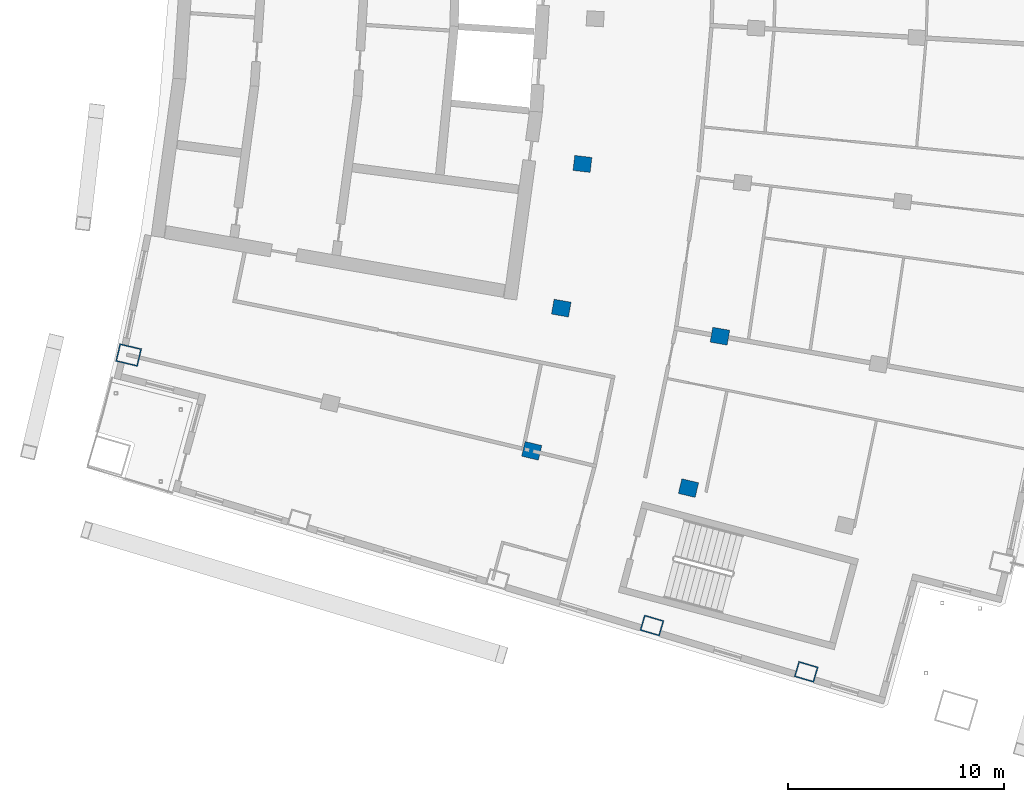
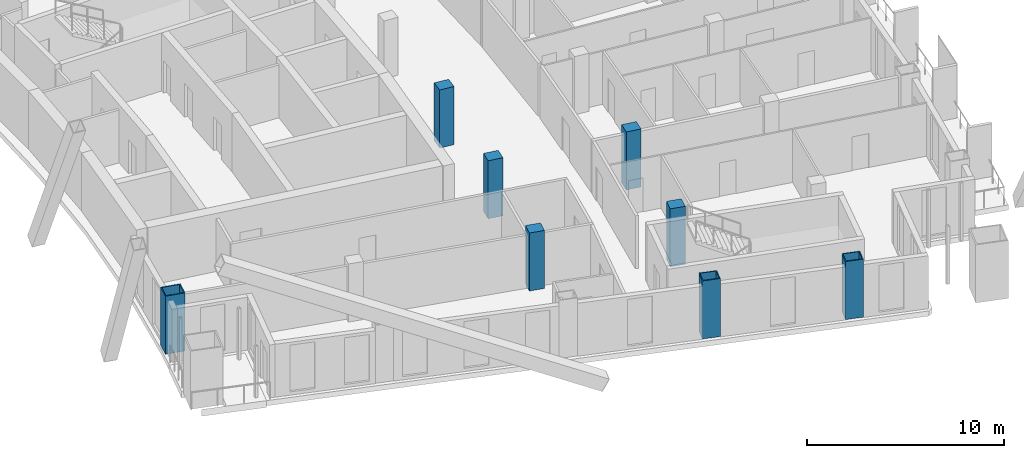
# One storey, part 2 of 19: 8 columns.
"""IFC4 building model written with IfcOpenShell, lengths in metres."""

from ifc_helpers import new_model, si_unit, direction, frame, origin, origin_2d, place, context, subcontext, project, spatial, rectangle, hollow_rectangle, extrude, material, material_profile, profile_set, type_object, element, save


model = new_model("IFC4")

# Units and contexts
model_context = context("Model", 3, precision=1e-05, world=origin(), true_north=direction((0.0, 1.0)))
body_context = subcontext(model_context, "Body", "Model", "MODEL_VIEW")
ifc_project = project(units=[si_unit("LENGTHUNIT", "METRE"), si_unit("AREAUNIT", "SQUARE_METRE"), si_unit("VOLUMEUNIT", "CUBIC_METRE"), si_unit("PLANEANGLEUNIT", "RADIAN"), si_unit("MASSUNIT", "GRAM", prefix="KILO")], contexts=[model_context])

# Site, building, storey
site_placement = place(None, origin())
site = spatial("IfcSite", under=ifc_project, at=site_placement, CompositionType="ELEMENT")
building_placement = place(site_placement, origin())
building = spatial("IfcBuilding", under=site, at=building_placement, Name="Alderwake Tower", CompositionType="ELEMENT")
storey_placement = place(building_placement, frame((0.0, 0.0, 200.0)))
storey = spatial("IfcBuildingStorey", under=building, at=storey_placement, Name="L49", CompositionType="ELEMENT", Elevation=200.0)

# Columns
ifc_material_1 = material(Name="Steel ASTM A572 Grade 50 concrete filled C70/85", Category="concrete")
ifc_material_profile_1 = material_profile(ifc_material_1, hollow_rectangle(XDim=0.75, YDim=0.949951171875, WallThickness=0.054931640625, at=origin_2d()), Name="BOX 950X750X55")
ifc_profile_set_1 = profile_set([ifc_material_profile_1], Name="Steel ASTM A572 Grade 50 concrete filled C70/85")
column_type_1 = type_object("IfcColumnType", Name="End column Z4", PredefinedType="COLUMN", material=ifc_profile_set_1)
for number, where, z_axis, x_axis, name in (
    (1, (38.231689453125, 26.1298828125, 0.0), (0.0, 0.0, 1.0), (0.282883890943, 0.959154160834, 0.0), "Column R02-C3"),
    (2, (45.383056640625, 23.98291015625, 0.0), (0.0, 0.0, 1.0), (0.283150052378, 0.959075621543, 0.0), "Column R02-C4"),
):
    element("IfcColumn", number, at=place(storey_placement, frame(where, z_axis=z_axis, x_axis=x_axis)), inside=storey, type_object=column_type_1, Name=name, PredefinedType="COLUMN", context=body_context, shape_type="SweptSolid", body=[
        extrude(hollow_rectangle(XDim=0.75, YDim=0.949951171875, WallThickness=0.054931640625, at=origin_2d()), origin(), (0.0, 0.0, 1.0), 3.60009765625),
    ])
ifc_material_2 = material(Name="Concrete C70/85", Category="concrete")
ifc_material_profile_2 = material_profile(ifc_material_2, rectangle(XDim=0.699951171875, YDim=0.800048828125, at=origin_2d()), Name="RC 800X700")
ifc_profile_set_2 = profile_set([ifc_material_profile_2], Name="Concrete C70/85")
column_type_2 = type_object("IfcColumnType", Name="Interior column Z4", PredefinedType="COLUMN", material=ifc_profile_set_2)
for number, where, z_axis, x_axis, name in (
    (3, (32.661865234375, 34.224609375, 0.0), (0.0, 0.0, 1.0), (0.231221547198, 0.972901123502, 0.0), "Column R03-C2"),
    (4, (39.92626953125, 32.498046875, 0.0), (0.0, 0.0, 1.0), (0.231221547198, 0.972901123502, 0.0), "Column R03-C3"),
    (5, (34.03125, 40.83837890625, 0.0), (0.0, 0.0, 1.0), (0.174108800747, 0.984726421654, 0.0), "Column R04-C2"),
    (6, (41.384033203125, 39.538330078125, 0.0), (0.0, 0.0, 1.0), (0.174107082075, 0.984726725529, 0.0), "Column R04-C3"),
    (7, (35.0126953125, 47.5205078125, 0.0), (0.0, 0.0, 1.0), (0.116402054316, 0.993202175668, 0.0), "Column R05-C2"),
):
    element("IfcColumn", number, at=place(storey_placement, frame(where, z_axis=z_axis, x_axis=x_axis)), inside=storey, type_object=column_type_2, Name=name, PredefinedType="COLUMN", context=body_context, shape_type="SweptSolid", body=[
        extrude(rectangle(XDim=0.699951171875, YDim=0.800048828125, at=origin_2d()), origin(), (0.0, 0.0, 1.0), 3.60009765625),
    ])
ifc_material_3 = material(Name="Steel ASTM A572 Grade 50 concrete filled C70/85", Category="concrete")
ifc_material_profile_3 = material_profile(ifc_material_3, hollow_rectangle(XDim=0.85009765625, YDim=1.050048828125, WallThickness=0.054931640625, at=origin_2d()), Name="BOX 1050X850X55")
ifc_profile_set_3 = profile_set([ifc_material_profile_3], Name="Steel ASTM A572 Grade 50 concrete filled C70/85")
column_type_3 = type_object("IfcColumnType", Name="Perimeter column Z4", PredefinedType="COLUMN", material=ifc_profile_set_3)
column_placement = place(storey_placement, frame((13.982177734375, 38.6640625, 0.0), z_axis=(0.0, 0.0, 1.0), x_axis=(0.231221547198, 0.972901123502, 0.0)))
element("IfcColumn", 8, at=column_placement, inside=storey, type_object=column_type_3, Name="Column R03-C0", PredefinedType="COLUMN", context=body_context, shape_type="SweptSolid", body=[
    extrude(hollow_rectangle(XDim=0.85009765625, YDim=1.050048828125, WallThickness=0.054931640625, at=origin_2d()), origin(), (0.0, 0.0, 1.0), 3.60009765625),
])

save(model, "model.ifc")
